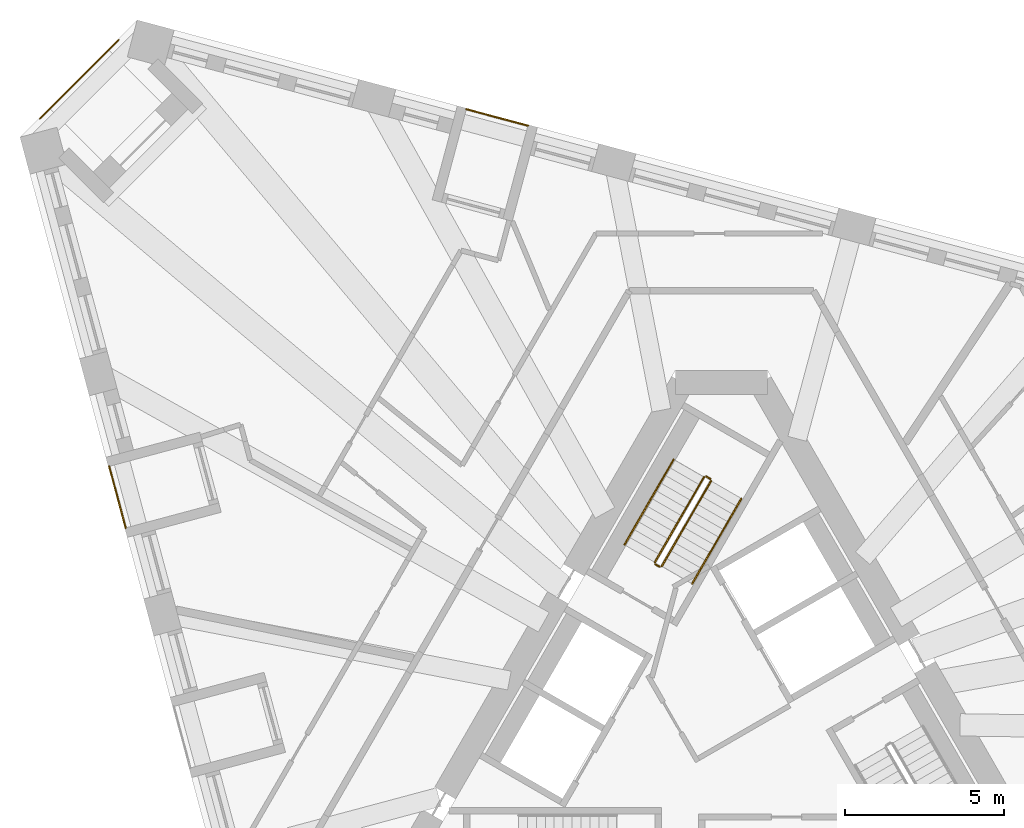
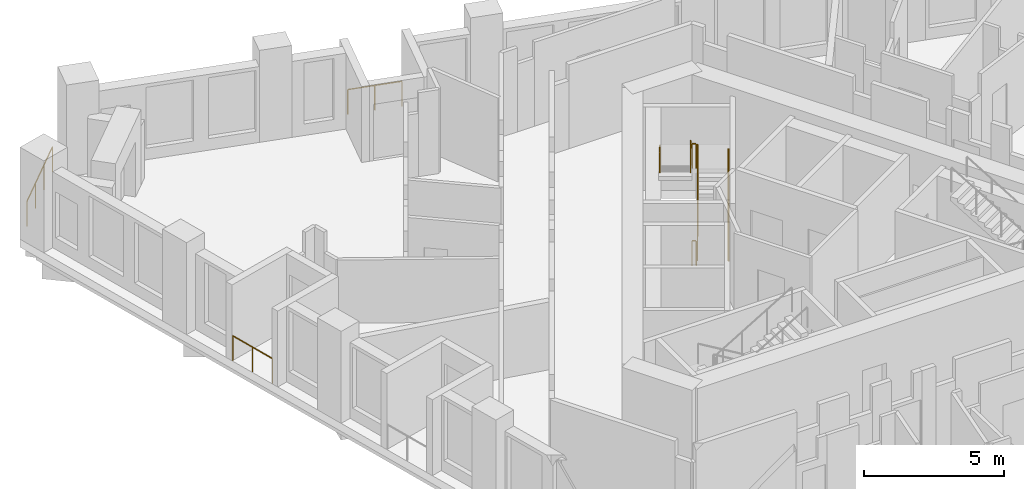
# One storey, part 12 of 13: 9 railings.
"""IFC4 building model written with IfcOpenShell, lengths in metres."""

from ifc_helpers import new_model, si_unit, direction, frame, origin, origin_2d, place, context, subcontext, project, spatial, circle, extrude, material, type_object, element, save


model = new_model("IFC4")

# Units and contexts
model_context = context("Model", 3, precision=1e-05, world=origin(), true_north=direction((0.0, 1.0)))
body_context = subcontext(model_context, "Body", "Model", "MODEL_VIEW")
ifc_project = project(units=[si_unit("LENGTHUNIT", "METRE"), si_unit("AREAUNIT", "SQUARE_METRE"), si_unit("VOLUMEUNIT", "CUBIC_METRE"), si_unit("PLANEANGLEUNIT", "RADIAN"), si_unit("MASSUNIT", "GRAM", prefix="KILO")], contexts=[model_context])

# Site, building, storey
site_placement = place(None, origin())
site = spatial("IfcSite", under=ifc_project, at=site_placement, CompositionType="ELEMENT")
building_placement = place(site_placement, origin())
building = spatial("IfcBuilding", under=site, at=building_placement, Name="Tramontana Tower", CompositionType="ELEMENT")
storey_placement = place(building_placement, frame((0.0, 0.0, 224.0)))
storey = spatial("IfcBuildingStorey", under=building, at=storey_placement, Name="L52", CompositionType="ELEMENT", Elevation=224.0)

# Railings
ifc_material_1 = material(Name="Laminated glass balustrade", Category="glass")
railing_type_1 = type_object("IfcRailingType", Name="GD1 Loggia glass balustrade 1100", PredefinedType="BALUSTRADE", material=ifc_material_1)
railing_1_placement = place(storey_placement, frame((-19.193359375, 7.9951171875, 0.0)))
element("IfcRailing", 1, at=railing_1_placement, inside=storey, type_object=railing_type_1, Name="Loggia balustrade L52 G5S0.4", PredefinedType="BALUSTRADE", context=body_context, shape_type="SweptSolid", body=[
    extrude(circle(Radius=0.02392578125, at=origin_2d()), frame((0.0, 0.0, 1.076171875), z_axis=(0.258803270362, -0.96593005298, 0.0), x_axis=(0.96593005298, 0.258803270362, 0.0)), (0.0, 0.0, 1.0), 1.998046875),
    extrude(circle(Radius=0.02099609375, at=origin_2d()), origin(), (0.0, 0.0, 1.0), 1.052001953125),
    extrude(circle(Radius=0.02099609375, at=origin_2d()), frame((0.258544921875, -0.96484375, 0.0)), (0.0, 0.0, 1.0), 1.052001953125),
    extrude(circle(Radius=0.02099609375, at=origin_2d()), frame((0.51708984375, -1.929931640625, 0.0)), (0.0, 0.0, 1.0), 1.052001953125),
])
railing_2_placement = place(storey_placement, frame((-6.065185546875, 18.67626953125, 0.0)))
element("IfcRailing", 2, at=railing_2_placement, inside=storey, type_object=railing_type_1, Name="Loggia balustrade L52 G5S2.13", PredefinedType="BALUSTRADE", context=body_context, shape_type="SweptSolid", body=[
    extrude(circle(Radius=0.02392578125, at=origin_2d()), frame((0.0, 0.0, 1.076171875), z_axis=(-0.96593005298, 0.258803270362, 0.0), x_axis=(-0.258803270362, -0.96593005298, 0.0)), (0.0, 0.0, 1.0), 1.998046875),
    extrude(circle(Radius=0.02099609375, at=origin_2d()), origin(), (0.0, 0.0, 1.0), 1.052001953125),
    extrude(circle(Radius=0.02099609375, at=origin_2d()), frame((-0.96484375, 0.258544921875, 0.0)), (0.0, 0.0, 1.0), 1.052001953125),
    extrude(circle(Radius=0.02099609375, at=origin_2d()), frame((-1.929931640625, 0.51708984375, 0.0)), (0.0, 0.0, 1.0), 1.052001953125),
])
railing_3_placement = place(storey_placement, frame((-21.36865234375, 18.893798828125, 0.0)))
element("IfcRailing", 3, at=railing_3_placement, inside=storey, type_object=railing_type_1, Name="Corner loggia balustrade L52 K50", PredefinedType="BALUSTRADE", context=body_context, shape_type="SweptSolid", body=[
    extrude(circle(Radius=0.02392578125, at=origin_2d()), frame((0.0, 0.0, 1.076171875), z_axis=(0.707106781187, 0.707106781187, 0.0), x_axis=(-0.707106781187, 0.707106781187, 0.0)), (0.0, 0.0, 1.0), 3.5),
    extrude(circle(Radius=0.02099609375, at=origin_2d()), origin(), (0.0, 0.0, 1.0), 1.052001953125),
    extrude(circle(Radius=0.02099609375, at=origin_2d()), frame((0.824951171875, 0.824951171875, 0.0)), (0.0, 0.0, 1.0), 1.052001953125),
    extrude(circle(Radius=0.02099609375, at=origin_2d()), frame((1.64990234375, 1.64990234375, 0.0)), (0.0, 0.0, 1.0), 1.052001953125),
    extrude(circle(Radius=0.02099609375, at=origin_2d()), frame((2.474853515625, 2.474853515625, 0.0)), (0.0, 0.0, 1.0), 1.052001953125),
])
ifc_material_2 = material(Name="Painted steel", Category="steel")
railing_type_2 = type_object("IfcRailingType", Name="STAIR GUARD 1100", PredefinedType="GUARDRAIL", material=ifc_material_2)
railing_4_placement = place(storey_placement, frame((-1.867431640625, 4.865478515625, 0.166748046875)))
element("IfcRailing", 4, at=railing_4_placement, inside=storey, type_object=railing_type_2, Name="L52 ST1 stair guard 1", PredefinedType="GUARDRAIL", context=body_context, shape_type="SweptSolid", body=[
    extrude(circle(Radius=0.02392578125, at=origin_2d()), frame((0.0, 0.0, 1.076171875), z_axis=(0.429649414936, 0.744189839504, 0.511451721109), x_axis=(-0.866029832698, 0.499992328818, 0.0)), (0.0, 0.0, 1.0), 3.58447265625),
    extrude(circle(Radius=0.02099609375, at=origin_2d()), origin(), (0.0, 0.0, 1.0), 1.052001953125),
    extrude(circle(Radius=0.02099609375, at=origin_2d()), frame((0.513427734375, 0.88916015625, 0.611083984375)), (0.0, 0.0, 1.0), 1.052001953125),
    extrude(circle(Radius=0.02099609375, at=origin_2d()), frame((1.026611328125, 1.7783203125, 1.22216796875)), (0.0, 0.0, 1.0), 1.052001953125),
    extrude(circle(Radius=0.02099609375, at=origin_2d()), frame((1.5400390625, 2.66748046875, 1.833251953125)), (0.0, 0.0, 1.0), 1.052001953125),
])
railing_5_placement = place(storey_placement, frame((-0.5439453125, 7.657958984375, 2.166748046875)))
element("IfcRailing", 5, at=railing_5_placement, inside=storey, type_object=railing_type_2, Name="L52 ST1 stair guard 2", PredefinedType="GUARDRAIL", context=body_context, shape_type="SweptSolid", body=[
    extrude(circle(Radius=0.02392578125, at=origin_2d()), frame((0.0, 0.0, 1.076171875), z_axis=(-0.429649414936, -0.744189839504, 0.511451721109), x_axis=(0.866029832698, -0.499992328818, 0.0)), (0.0, 0.0, 1.0), 3.58447265625),
    extrude(circle(Radius=0.02099609375, at=origin_2d()), origin(), (0.0, 0.0, 1.0), 1.052001953125),
    extrude(circle(Radius=0.02099609375, at=origin_2d()), frame((-0.513427734375, -0.88916015625, 0.611083984375)), (0.0, 0.0, 1.0), 1.052001953125),
    extrude(circle(Radius=0.02099609375, at=origin_2d()), frame((-1.026611328125, -1.7783203125, 1.22216796875)), (0.0, 0.0, 1.0), 1.052001953125),
    extrude(circle(Radius=0.02099609375, at=origin_2d()), frame((-1.5400390625, -2.66748046875, 1.833251953125)), (0.0, 0.0, 1.0), 1.052001953125),
])
railing_6_placement = place(storey_placement, frame((-0.345703125, 7.601318359375, 2.0)))
element("IfcRailing", 6, at=railing_6_placement, inside=storey, type_object=railing_type_2, Name="L52 ST1 stair guard 3", PredefinedType="GUARDRAIL", context=body_context, shape_type="SweptSolid", body=[
    extrude(circle(Radius=0.02392578125, at=origin_2d()), frame((0.0, 0.0, 1.076171875), z_axis=(-0.866131372301, 0.499816412211, 0.0), x_axis=(-0.499816412211, -0.866131372301, 0.0)), (0.0, 0.0, 1.0), 0.14990234375),
    extrude(circle(Radius=0.02099609375, at=origin_2d()), origin(), (0.0, 0.0, 1.0), 1.052001953125),
    extrude(circle(Radius=0.02099609375, at=origin_2d()), frame((-0.1298828125, 0.074951171875, 0.0)), (0.0, 0.0, 1.0), 1.052001953125),
])
railing_7_placement = place(storey_placement, frame((-1.935791015625, 4.84716796875, 0.0)))
element("IfcRailing", 7, at=railing_7_placement, inside=storey, type_object=railing_type_2, Name="L52 ST1 stair guard 4", PredefinedType="GUARDRAIL", context=body_context, shape_type="SweptSolid", body=[
    extrude(circle(Radius=0.02392578125, at=origin_2d()), frame((0.0, 0.0, 1.076171875), z_axis=(-0.865426285481, 0.501036270542, 0.0), x_axis=(-0.501036270542, -0.865426285481, 0.0)), (0.0, 0.0, 1.0), 0.150146484375),
    extrude(circle(Radius=0.02099609375, at=origin_2d()), origin(), (0.0, 0.0, 1.0), 1.052001953125),
    extrude(circle(Radius=0.02099609375, at=origin_2d()), frame((-0.1298828125, 0.0751953125, 0.0)), (0.0, 0.0, 1.0), 1.052001953125),
])
ifc_material_3 = material(Name="Painted steel", Category="steel")
railing_type_3 = type_object("IfcRailingType", Name="STAIR HANDRAIL 900", PredefinedType="HANDRAIL", material=ifc_material_3)
railing_8_placement = place(storey_placement, frame((-0.914794921875, 4.315673828125, 0.166748046875)))
element("IfcRailing", 8, at=railing_8_placement, inside=storey, type_object=railing_type_3, Name="L52 ST1 stair handrail 1", PredefinedType="HANDRAIL", context=body_context, shape_type="SweptSolid", body=[
    extrude(circle(Radius=0.02392578125, at=origin_2d()), frame((0.0, 0.0, 0.8759765625), z_axis=(0.429671193721, 0.744159446956, 0.511477646425), x_axis=(-0.866010015463, 0.500026652407, 0.0)), (0.0, 0.0, 1.0), 3.584228515625),
    extrude(circle(Radius=0.02099609375, at=origin_2d()), origin(), (0.0, 0.0, 1.0), 0.851806640625),
    extrude(circle(Radius=0.02099609375, at=origin_2d()), frame((0.513427734375, 0.88916015625, 0.611083984375)), (0.0, 0.0, 1.0), 0.851806640625),
    extrude(circle(Radius=0.02099609375, at=origin_2d()), frame((1.026611328125, 1.778076171875, 1.22216796875)), (0.0, 0.0, 1.0), 0.851806640625),
    extrude(circle(Radius=0.02099609375, at=origin_2d()), frame((1.5400390625, 2.667236328125, 1.833251953125)), (0.0, 0.0, 1.0), 0.851806640625),
])
railing_9_placement = place(storey_placement, frame((-1.49658203125, 8.2080078125, 2.166748046875)))
element("IfcRailing", 9, at=railing_9_placement, inside=storey, type_object=railing_type_3, Name="L52 ST1 stair handrail 2", PredefinedType="HANDRAIL", context=body_context, shape_type="SweptSolid", body=[
    extrude(circle(Radius=0.02392578125, at=origin_2d()), frame((0.0, 0.0, 0.8759765625), z_axis=(-0.429649414936, -0.744189839504, 0.511451721109), x_axis=(0.866029832698, -0.499992328818, 0.0)), (0.0, 0.0, 1.0), 3.58447265625),
    extrude(circle(Radius=0.02099609375, at=origin_2d()), origin(), (0.0, 0.0, 1.0), 0.851806640625),
    extrude(circle(Radius=0.02099609375, at=origin_2d()), frame((-0.513427734375, -0.88916015625, 0.611083984375)), (0.0, 0.0, 1.0), 0.851806640625),
    extrude(circle(Radius=0.02099609375, at=origin_2d()), frame((-1.026611328125, -1.7783203125, 1.22216796875)), (0.0, 0.0, 1.0), 0.851806640625),
    extrude(circle(Radius=0.02099609375, at=origin_2d()), frame((-1.5400390625, -2.66748046875, 1.833251953125)), (0.0, 0.0, 1.0), 0.851806640625),
])

save(model, "model.ifc")
